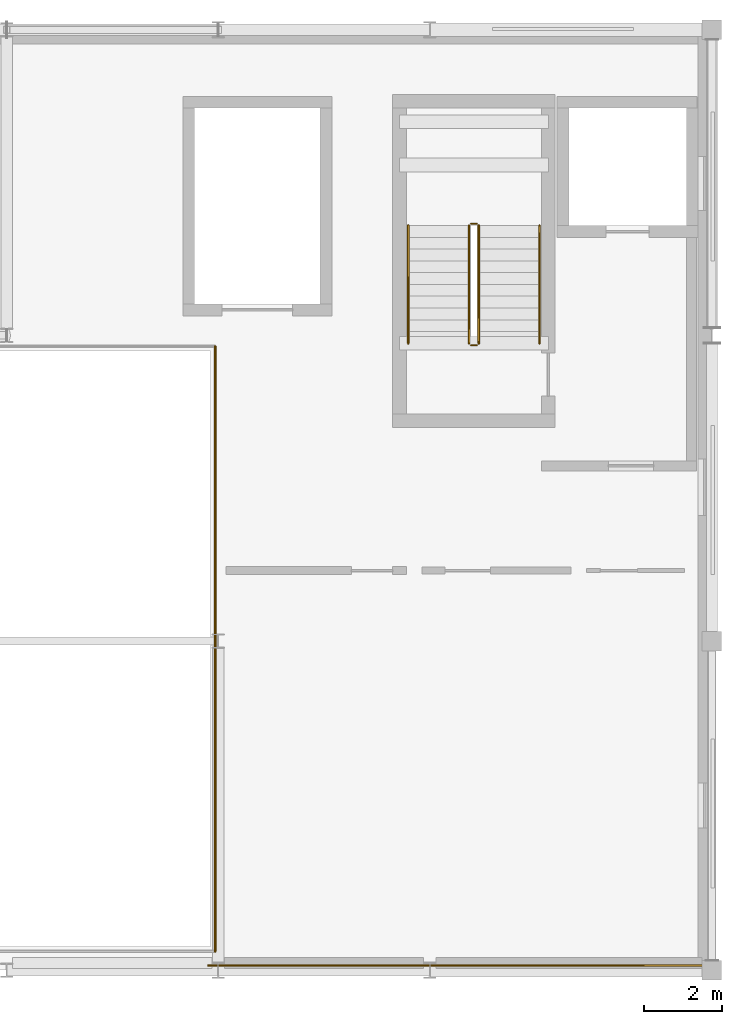
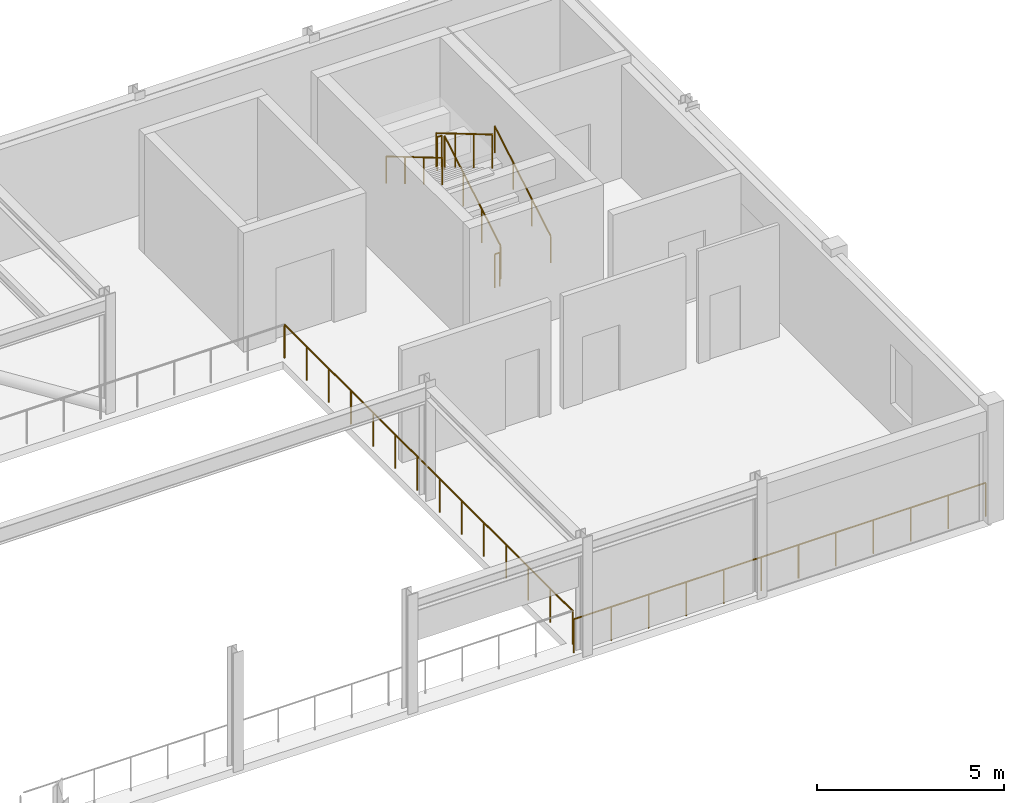
# One storey, part 12 of 12: 8 railings.
"""IFC4 building model written with IfcOpenShell, lengths in metres."""

from ifc_helpers import new_model, si_unit, direction, frame, origin, origin_2d, place, context, subcontext, project, spatial, circle, extrude, material, material_profile, profile_set, type_object, element, save


model = new_model("IFC4")

# Units and contexts
model_context = context("Model", 3, precision=1e-05, world=origin(), true_north=direction((0.0, 1.0)))
body_context = subcontext(model_context, "Body", "Model", "MODEL_VIEW")
ifc_project = project(units=[si_unit("LENGTHUNIT", "METRE"), si_unit("AREAUNIT", "SQUARE_METRE"), si_unit("VOLUMEUNIT", "CUBIC_METRE"), si_unit("PLANEANGLEUNIT", "RADIAN"), si_unit("MASSUNIT", "GRAM", prefix="KILO")], contexts=[model_context])

# Site, building, storey
site_placement = place(None, origin())
site = spatial("IfcSite", under=ifc_project, at=site_placement, CompositionType="ELEMENT")
building_placement = place(site_placement, origin())
building = spatial("IfcBuilding", under=site, at=building_placement, Name="Tazoul Stagehouse", CompositionType="ELEMENT")
storey_placement = place(building_placement, frame((0.0, 0.0, 17.10009765625)))
storey = spatial("IfcBuildingStorey", under=building, at=storey_placement, Name="L04", CompositionType="ELEMENT", Elevation=17.10009765625)

# Railings
ifc_material = material(Name="Brushed Stainless Steel 316L", Category="steel")
ifc_material_profile_1 = material_profile(ifc_material, circle(Radius=0.02392578125, at=origin_2d()), Name="SS RAIL D48")
ifc_profile_set_1 = profile_set([ifc_material_profile_1], Name="Brushed Stainless Steel 316L")
railing_type_1 = type_object("IfcRailingType", Name="Architectural Guardrail H1120", PredefinedType="GUARDRAIL", material=ifc_profile_set_1)
railing_1_placement = place(storey_placement, frame((96.64990234375, 103.800048828125, 0.17724609375)))
element("IfcRailing", 1, at=railing_1_placement, inside=storey, type_object=railing_type_1, Name="L04 ST-01 stair guard 1", PredefinedType="GUARDRAIL", context=body_context, shape_type="SweptSolid", body=[
    extrude(circle(Radius=0.02392578125, at=origin_2d()), frame((0.0, 0.0, 1.09619140625), z_axis=(0.0, 0.86092931783, 0.508724591208), x_axis=(-1.0, 0.0, 0.0)), (0.0, 0.0, 1.0), 3.484619140625),
    extrude(circle(Radius=0.02099609375, at=origin_2d()), origin(), (0.0, 0.0, 1.0), 1.072021484375),
    extrude(circle(Radius=0.02099609375, at=origin_2d()), frame((0.0, 1.0, 0.5908203125)), (0.0, 0.0, 1.0), 1.072021484375),
    extrude(circle(Radius=0.02099609375, at=origin_2d()), frame((0.0, 2.0, 1.181884765625)), (0.0, 0.0, 1.0), 1.072021484375),
    extrude(circle(Radius=0.02099609375, at=origin_2d()), frame((0.0, 3.0, 1.772705078125)), (0.0, 0.0, 1.0), 1.072021484375),
])
railing_2_placement = place(storey_placement, frame((96.60009765625, 106.85009765625, 1.949951171875)))
element("IfcRailing", 2, at=railing_2_placement, inside=storey, type_object=railing_type_1, Name="L04 ST-01 stair guard 2", PredefinedType="GUARDRAIL", context=body_context, shape_type="SweptSolid", body=[
    extrude(circle(Radius=0.02392578125, at=origin_2d()), frame((0.0, 0.0, 1.09619140625), z_axis=(-1.0, 0.0, 0.0), x_axis=(0.0, -1.0, 0.0)), (0.0, 0.0, 1.0), 0.150146484375),
    extrude(circle(Radius=0.02099609375, at=origin_2d()), origin(), (0.0, 0.0, 1.0), 1.072021484375),
    extrude(circle(Radius=0.02099609375, at=origin_2d()), frame((-0.150146484375, 0.0, 0.0)), (0.0, 0.0, 1.0), 1.072021484375),
])
railing_3_placement = place(storey_placement, frame((96.39990234375, 106.800048828125, 2.127197265625)))
element("IfcRailing", 3, at=railing_3_placement, inside=storey, type_object=railing_type_1, Name="L04 ST-01 stair guard 3", PredefinedType="GUARDRAIL", context=body_context, shape_type="SweptSolid", body=[
    extrude(circle(Radius=0.02392578125, at=origin_2d()), frame((0.0, 0.0, 1.09619140625), z_axis=(0.0, -0.86092931783, 0.508724591208), x_axis=(1.0, 0.0, 0.0)), (0.0, 0.0, 1.0), 3.484619140625),
    extrude(circle(Radius=0.02099609375, at=origin_2d()), origin(), (0.0, 0.0, 1.0), 1.072021484375),
    extrude(circle(Radius=0.02099609375, at=origin_2d()), frame((0.0, -1.0, 0.5908203125)), (0.0, 0.0, 1.0), 1.072021484375),
    extrude(circle(Radius=0.02099609375, at=origin_2d()), frame((0.0, -2.0, 1.181884765625)), (0.0, 0.0, 1.0), 1.072021484375),
    extrude(circle(Radius=0.02099609375, at=origin_2d()), frame((0.0, -3.0, 1.772705078125)), (0.0, 0.0, 1.0), 1.072021484375),
])
railing_4_placement = place(storey_placement, frame((96.60009765625, 103.75, 0.0)))
element("IfcRailing", 4, at=railing_4_placement, inside=storey, type_object=railing_type_1, Name="L04 ST-01 stair guard 4", PredefinedType="GUARDRAIL", context=body_context, shape_type="SweptSolid", body=[
    extrude(circle(Radius=0.02392578125, at=origin_2d()), frame((0.0, 0.0, 1.09619140625), z_axis=(-1.0, 0.0, 0.0), x_axis=(0.0, -1.0, 0.0)), (0.0, 0.0, 1.0), 0.150146484375),
    extrude(circle(Radius=0.02099609375, at=origin_2d()), origin(), (0.0, 0.0, 1.0), 1.072021484375),
    extrude(circle(Radius=0.02099609375, at=origin_2d()), frame((-0.150146484375, 0.0, 0.0)), (0.0, 0.0, 1.0), 1.072021484375),
])
railing_5_placement = place(storey_placement, frame((89.919921875, 88.280029296875, 0.0)))
element("IfcRailing", 5, at=railing_5_placement, inside=storey, type_object=railing_type_1, Name="L04 Open-Edge Guard GRD-01 (GRD-VOID1-E1)", PredefinedType="GUARDRAIL", context=body_context, shape_type="SweptSolid", body=[
    extrude(circle(Radius=0.02392578125, at=origin_2d()), frame((0.0, 0.0, 1.09619140625), z_axis=(0.0, 1.0, 0.0), x_axis=(-1.0, 0.0, 0.0)), (0.0, 0.0, 1.0), 15.43994140625),
    extrude(circle(Radius=0.02099609375, at=origin_2d()), origin(), (0.0, 0.0, 1.0), 1.072021484375),
    extrude(circle(Radius=0.02099609375, at=origin_2d()), frame((0.0, 1.187744140625, 0.0)), (0.0, 0.0, 1.0), 1.072021484375),
    extrude(circle(Radius=0.02099609375, at=origin_2d()), frame((0.0, 2.37548828125, 0.0)), (0.0, 0.0, 1.0), 1.072021484375),
    extrude(circle(Radius=0.02099609375, at=origin_2d()), frame((0.0, 3.56298828125, 0.0)), (0.0, 0.0, 1.0), 1.072021484375),
    extrude(circle(Radius=0.02099609375, at=origin_2d()), frame((0.0, 4.750732421875, 0.0)), (0.0, 0.0, 1.0), 1.072021484375),
    extrude(circle(Radius=0.02099609375, at=origin_2d()), frame((0.0, 5.9384765625, 0.0)), (0.0, 0.0, 1.0), 1.072021484375),
    extrude(circle(Radius=0.02099609375, at=origin_2d()), frame((0.0, 7.126220703125, 0.0)), (0.0, 0.0, 1.0), 1.072021484375),
    extrude(circle(Radius=0.02099609375, at=origin_2d()), frame((0.0, 8.313720703125, 0.0)), (0.0, 0.0, 1.0), 1.072021484375),
    extrude(circle(Radius=0.02099609375, at=origin_2d()), frame((0.0, 9.50146484375, 0.0)), (0.0, 0.0, 1.0), 1.072021484375),
    extrude(circle(Radius=0.02099609375, at=origin_2d()), frame((0.0, 10.689208984375, 0.0)), (0.0, 0.0, 1.0), 1.072021484375),
    extrude(circle(Radius=0.02099609375, at=origin_2d()), frame((0.0, 11.876953125, 0.0)), (0.0, 0.0, 1.0), 1.072021484375),
    extrude(circle(Radius=0.02099609375, at=origin_2d()), frame((0.0, 13.064453125, 0.0)), (0.0, 0.0, 1.0), 1.072021484375),
    extrude(circle(Radius=0.02099609375, at=origin_2d()), frame((0.0, 14.252197265625, 0.0)), (0.0, 0.0, 1.0), 1.072021484375),
    extrude(circle(Radius=0.02099609375, at=origin_2d()), frame((0.0, 15.43994140625, 0.0)), (0.0, 0.0, 1.0), 1.072021484375),
])
railing_6_placement = place(storey_placement, frame((89.75, 87.919921875, 0.0)))
element("IfcRailing", 6, at=railing_6_placement, inside=storey, type_object=railing_type_1, Name="L04 Stagehouse South Gallery Guard GRD-01 (E)", PredefinedType="GUARDRAIL", context=body_context, shape_type="SweptSolid", body=[
    extrude(circle(Radius=0.02392578125, at=origin_2d()), frame((0.0, 0.0, 1.09619140625), z_axis=(1.0, 0.0, 0.0), x_axis=(0.0, 1.0, 0.0)), (0.0, 0.0, 1.0), 12.75),
    extrude(circle(Radius=0.02099609375, at=origin_2d()), origin(), (0.0, 0.0, 1.0), 1.072021484375),
    extrude(circle(Radius=0.02099609375, at=origin_2d()), frame((1.1591796875, 0.0, 0.0)), (0.0, 0.0, 1.0), 1.072021484375),
    extrude(circle(Radius=0.02099609375, at=origin_2d()), frame((2.318115234375, 0.0, 0.0)), (0.0, 0.0, 1.0), 1.072021484375),
    extrude(circle(Radius=0.02099609375, at=origin_2d()), frame((3.477294921875, 0.0, 0.0)), (0.0, 0.0, 1.0), 1.072021484375),
    extrude(circle(Radius=0.02099609375, at=origin_2d()), frame((4.636474609375, 0.0, 0.0)), (0.0, 0.0, 1.0), 1.072021484375),
    extrude(circle(Radius=0.02099609375, at=origin_2d()), frame((5.79541015625, 0.0, 0.0)), (0.0, 0.0, 1.0), 1.072021484375),
    extrude(circle(Radius=0.02099609375, at=origin_2d()), frame((6.95458984375, 0.0, 0.0)), (0.0, 0.0, 1.0), 1.072021484375),
    extrude(circle(Radius=0.02099609375, at=origin_2d()), frame((8.113525390625, 0.0, 0.0)), (0.0, 0.0, 1.0), 1.072021484375),
    extrude(circle(Radius=0.02099609375, at=origin_2d()), frame((9.272705078125, 0.0, 0.0)), (0.0, 0.0, 1.0), 1.072021484375),
    extrude(circle(Radius=0.02099609375, at=origin_2d()), frame((10.431884765625, 0.0, 0.0)), (0.0, 0.0, 1.0), 1.072021484375),
    extrude(circle(Radius=0.02099609375, at=origin_2d()), frame((11.5908203125, 0.0, 0.0)), (0.0, 0.0, 1.0), 1.072021484375),
    extrude(circle(Radius=0.02099609375, at=origin_2d()), frame((12.75, 0.0, 0.0)), (0.0, 0.0, 1.0), 1.072021484375),
])
ifc_material_profile_2 = material_profile(ifc_material, circle(Radius=0.02099609375, at=origin_2d()), Name="SS HANDRAIL D42")
ifc_profile_set_2 = profile_set([ifc_material_profile_2], Name="Brushed Stainless Steel 316L")
railing_type_2 = type_object("IfcRailingType", Name="Continuous Stair Handrail H900", PredefinedType="HANDRAIL", material=ifc_profile_set_2)
railing_7_placement = place(storey_placement, frame((98.199951171875, 103.800048828125, 0.17724609375)))
element("IfcRailing", 7, at=railing_7_placement, inside=storey, type_object=railing_type_2, Name="L04 ST-01 stair handrail 1", PredefinedType="HANDRAIL", context=body_context, shape_type="SweptSolid", body=[
    extrude(circle(Radius=0.02392578125, at=origin_2d()), frame((0.0, 0.0, 0.8759765625), z_axis=(0.0, 0.86092931783, 0.508724591208), x_axis=(-1.0, 0.0, 0.0)), (0.0, 0.0, 1.0), 3.484619140625),
    extrude(circle(Radius=0.02099609375, at=origin_2d()), origin(), (0.0, 0.0, 1.0), 0.851806640625),
    extrude(circle(Radius=0.02099609375, at=origin_2d()), frame((0.0, 1.0, 0.5908203125)), (0.0, 0.0, 1.0), 0.851806640625),
    extrude(circle(Radius=0.02099609375, at=origin_2d()), frame((0.0, 2.0, 1.181884765625)), (0.0, 0.0, 1.0), 0.851806640625),
    extrude(circle(Radius=0.02099609375, at=origin_2d()), frame((0.0, 3.0, 1.772705078125)), (0.0, 0.0, 1.0), 0.851806640625),
])
railing_8_placement = place(storey_placement, frame((94.85009765625, 106.800048828125, 2.127197265625)))
element("IfcRailing", 8, at=railing_8_placement, inside=storey, type_object=railing_type_2, Name="L04 ST-01 stair handrail 2", PredefinedType="HANDRAIL", context=body_context, shape_type="SweptSolid", body=[
    extrude(circle(Radius=0.02392578125, at=origin_2d()), frame((0.0, 0.0, 0.8759765625), z_axis=(0.0, -0.86092931783, 0.508724591208), x_axis=(1.0, 0.0, 0.0)), (0.0, 0.0, 1.0), 3.484619140625),
    extrude(circle(Radius=0.02099609375, at=origin_2d()), origin(), (0.0, 0.0, 1.0), 0.851806640625),
    extrude(circle(Radius=0.02099609375, at=origin_2d()), frame((0.0, -1.0, 0.5908203125)), (0.0, 0.0, 1.0), 0.851806640625),
    extrude(circle(Radius=0.02099609375, at=origin_2d()), frame((0.0, -2.0, 1.181884765625)), (0.0, 0.0, 1.0), 0.851806640625),
    extrude(circle(Radius=0.02099609375, at=origin_2d()), frame((0.0, -3.0, 1.772705078125)), (0.0, 0.0, 1.0), 0.851806640625),
])

save(model, "model.ifc")
